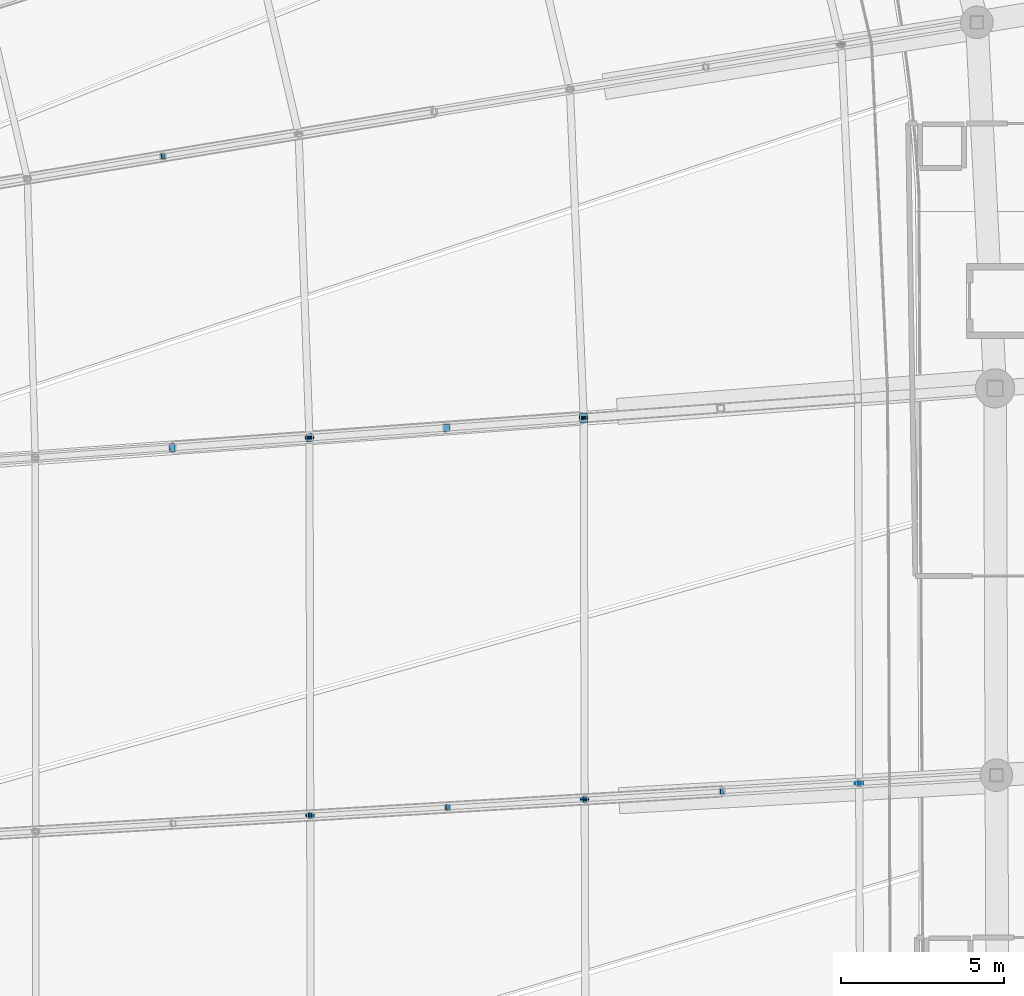
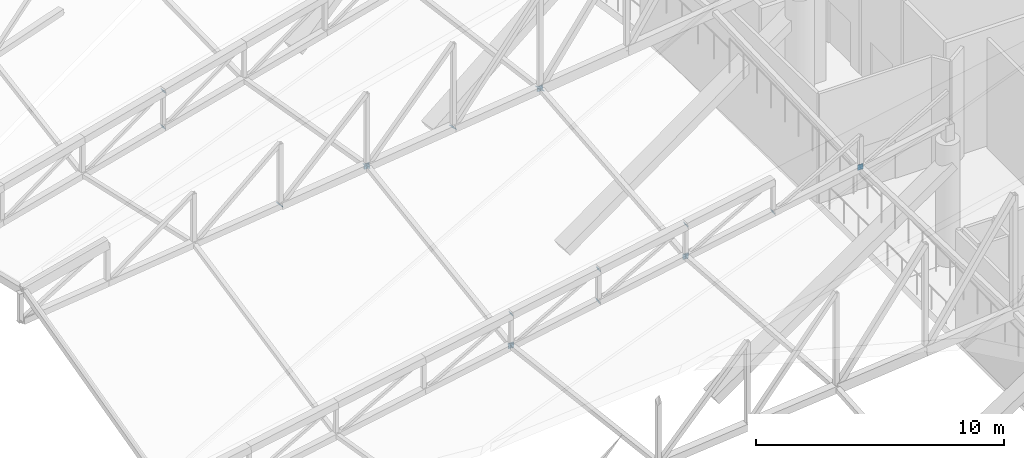
# One storey, part 329 of 344: 24 discrete accessories.
"""IFC4 building model written with IfcOpenShell, lengths in metres."""

from ifc_helpers import new_model, si_unit, direction, frame, origin, origin_2d, place, context, subcontext, project, spatial, rectangle, extrude, material, material_profile, profile_set, type_object, element, save


model = new_model("IFC4")

# Units and contexts
model_context = context("Model", 3, precision=1e-05, world=origin(), true_north=direction((0.0, 1.0)))
body_context = subcontext(model_context, "Body", "Model", "MODEL_VIEW")
ifc_project = project(units=[si_unit("LENGTHUNIT", "METRE"), si_unit("AREAUNIT", "SQUARE_METRE"), si_unit("VOLUMEUNIT", "CUBIC_METRE"), si_unit("PLANEANGLEUNIT", "RADIAN"), si_unit("MASSUNIT", "GRAM", prefix="KILO")], contexts=[model_context])

# Site, building, storey
site_placement = place(None, origin())
site = spatial("IfcSite", under=ifc_project, at=site_placement, CompositionType="ELEMENT")
building_placement = place(site_placement, origin())
building = spatial("IfcBuilding", under=site, at=building_placement, Name="Meseta Stadium", CompositionType="ELEMENT")
storey_placement = place(building_placement, frame((0.0, 0.0, 24.0)))
storey = spatial("IfcBuildingStorey", under=building, at=storey_placement, Name="L04", CompositionType="ELEMENT", Elevation=24.0)

# Discrete accessories
ifc_material_1 = material(Name="Steel S355", Category="steel")
ifc_material_profile_1 = material_profile(ifc_material_1, rectangle(XDim=0.179931640625, YDim=0.179931640625, at=origin_2d()), Name="PL 180x180")
ifc_profile_set_1 = profile_set([ifc_material_profile_1], Name="Steel S355")
discrete_accessory_type_1 = type_object("IfcDiscreteAccessoryType", Name="End plate 180x180x20", PredefinedType="ANCHORPLATE", material=ifc_profile_set_1)
discrete_accessory_1_placement = place(storey_placement, frame((63.8505859375, 29.44384765625, 5.490234375), z_axis=(0.893383670515, 0.048291009217, 0.446691835258), x_axis=(-0.053975258015, 0.998542273278, 0.0)))
element("IfcDiscreteAccessory", 1, at=discrete_accessory_1_placement, inside=storey, type_object=discrete_accessory_type_1, Name="End plate of ROOF TRUSS RT-07 diagonal", PredefinedType="ANCHORPLATE", context=body_context, shape_type="SweptSolid", body=[
    extrude(rectangle(XDim=0.179931640625, YDim=0.179931640625, at=origin_2d()), origin(), (0.0, 0.0, 1.0), 0.020263671875),
])
for number, where, z_axis, x_axis, name in (
    (2, (63.832763671875, 29.442626953125, 3.9267578125), (0.890310108805, 0.060980144439, 0.451253068847), (-0.068333052409, 0.997662565173, 0.0), "End plate of ROOF TRUSS RT-07 diagonal"),
    (3, (68.065673828125, 29.69140625, 6.063232421875), (0.890906631558, 0.048816801729, 0.451555415995), (-0.054712446702, 0.998502152314, 0.0), "End plate of ROOF TRUSS RT-07 diagonal"),
    (4, (68.0478515625, 29.6904296875, 4.49951171875), (0.890906631558, 0.048816801729, 0.451555415995), (-0.054712446702, 0.998502152314, 0.0), "End plate of ROOF TRUSS RT-07 diagonal"),
    (5, (72.280517578125, 29.93896484375, 6.635986328125), (0.890906631558, 0.048816801729, 0.451555415995), (-0.054712446702, 0.998502152314, 0.0), "End plate of ROOF TRUSS RT-07 diagonal"),
    (6, (72.2626953125, 29.93798828125, 5.072509765625), (0.890906631558, 0.048816801729, 0.451555415995), (-0.054712446702, 0.998502152314, 0.0), "End plate of ROOF TRUSS RT-07 diagonal"),
    (7, (76.4775390625, 30.185546875, 5.645263671875), (0.890906631558, 0.048816801729, 0.451555415995), (-0.054712446702, 0.998502152314, 0.0), "End plate of ROOF TRUSS RT-07 diagonal"),
):
    element("IfcDiscreteAccessory", number, at=place(storey_placement, frame(where, z_axis=z_axis, x_axis=x_axis)), inside=storey, type_object=discrete_accessory_type_1, Name=name, PredefinedType="ANCHORPLATE", context=body_context, shape_type="SweptSolid", body=[
        extrude(rectangle(XDim=0.179931640625, YDim=0.179931640625, at=origin_2d()), origin(), (0.0, 0.0, 1.0), 0.02001953125),
    ])
discrete_accessory_2_placement = place(storey_placement, frame((80.692626953125, 30.43310546875, 6.21826171875), z_axis=(0.895789814442, 0.049084373394, 0.441759360547), x_axis=(-0.054712446702, 0.998502152314, 0.0)))
element("IfcDiscreteAccessory", 8, at=discrete_accessory_2_placement, inside=storey, type_object=discrete_accessory_type_1, Name="End plate of ROOF TRUSS RT-07 diagonal", PredefinedType="ANCHORPLATE", context=body_context, shape_type="SweptSolid", body=[
    extrude(rectangle(XDim=0.179931640625, YDim=0.179931640625, at=origin_2d()), origin(), (0.0, 0.0, 1.0), 0.019775390625),
])
discrete_accessory_3_placement = place(storey_placement, frame((59.327880859375, 49.689453125, 5.780029296875), z_axis=(0.874931437699, 0.145821906283, 0.461769369896), x_axis=(-0.164398987305, 0.986393923832, 0.0)))
element("IfcDiscreteAccessory", 9, at=discrete_accessory_3_placement, inside=storey, type_object=discrete_accessory_type_1, Name="End plate of ROOF TRUSS RT-09 diagonal", PredefinedType="ANCHORPLATE", context=body_context, shape_type="SweptSolid", body=[
    extrude(rectangle(XDim=0.179931640625, YDim=0.179931640625, at=origin_2d()), origin(), (0.0, 0.0, 1.0), 0.02001953125),
])
discrete_accessory_4_placement = place(storey_placement, frame((59.310546875, 49.6865234375, 4.013916015625), z_axis=(0.872035849523, 0.147386340765, 0.466723412421), x_axis=(-0.166650593889, 0.986016013844, 0.0)))
element("IfcDiscreteAccessory", 10, at=discrete_accessory_4_placement, inside=storey, type_object=discrete_accessory_type_1, Name="End plate of ROOF TRUSS RT-09 diagonal", PredefinedType="ANCHORPLATE", context=body_context, shape_type="SweptSolid", body=[
    extrude(rectangle(XDim=0.179931640625, YDim=0.179931640625, at=origin_2d()), origin(), (0.0, 0.0, 1.0), 0.019775390625),
])
ifc_material_2 = material(Name="Steel S355", Category="steel")
ifc_material_profile_2 = material_profile(ifc_material_2, rectangle(XDim=0.239990234375, YDim=0.239990234375, at=origin_2d()), Name="PL 240x240")
ifc_profile_set_2 = profile_set([ifc_material_profile_2], Name="Steel S355")
discrete_accessory_type_2 = type_object("IfcDiscreteAccessoryType", Name="End plate 240x240x20", PredefinedType="ANCHORPLATE", material=ifc_profile_set_2)
for number, where, z_axis, x_axis, name in (
    (11, (59.6015625, 40.7421875, 5.4990234375), (0.735767207382, 0.061313933948, 0.674453273433), (-0.083045479854, 0.996545758245, 0.0), "End plate of ROOF TRUSS RT-08 diagonal"),
    (12, (63.813720703125, 41.04541015625, 5.750244140625), (0.69398756259, 0.048700881585, 0.718338003382), (-0.070003281481, 0.9975467611, 0.0), "End plate of ROOF TRUSS RT-08 diagonal"),
    (13, (68.02587890625, 41.348388671875, 6.00146484375), (0.643003146809, 0.048528539382, 0.764324495263), (-0.075257669471, 0.997164120487, 0.0), "End plate of ROOF TRUSS RT-08 diagonal"),
):
    element("IfcDiscreteAccessory", number, at=place(storey_placement, frame(where, z_axis=z_axis, x_axis=x_axis)), inside=storey, type_object=discrete_accessory_type_2, Name=name, PredefinedType="ANCHORPLATE", context=body_context, shape_type="SweptSolid", body=[
        extrude(rectangle(XDim=0.239990234375, YDim=0.239990234375, at=origin_2d()), origin(), (0.0, 0.0, 1.0), 0.02001953125),
    ])
ifc_material_3 = material(Name="Steel S355", Category="steel")
ifc_material_profile_3 = material_profile(ifc_material_3, rectangle(XDim=0.260009765625, YDim=0.260009765625, at=origin_2d()), Name="PL 260x260")
ifc_profile_set_3 = profile_set([ifc_material_profile_3], Name="Steel S355")
discrete_accessory_type_3 = type_object("IfcDiscreteAccessoryType", Name="End plate 260x260x20", PredefinedType="ANCHORPLATE", material=ifc_profile_set_3)
for number, where, z_axis, x_axis, name in (
    (14, (63.8505859375, 29.44384765625, 3.935791015625), (0.0, 0.992465233221, -0.122526572003), (-1.0, 0.0, 0.0), "End plate of ROOF TRUSS STRUT RT-06/07"),
    (15, (72.280517578125, 29.93896484375, 5.08154296875), (0.0, 0.997333723592, -0.072975638312), (-1.0, 0.0, 0.0), "End plate of ROOF TRUSS STRUT RT-06/07"),
    (16, (80.71044921875, 30.43408203125, 6.22705078125), (-0.012190590302, 0.999628404729, -0.024381180603), (-0.999925647793, -0.012194215217, 0.0), "End plate of ROOF TRUSS STRUT RT-06/07"),
    (17, (63.850830078125, 29.424072265625, 3.9326171875), (-0.012188779056, 0.987291103511, 0.158454127724), (-0.999923800815, -0.012344738282, 0.0), "End plate of ROOF TRUSS STRUT RT-07/08"),
    (18, (63.82763671875, 41.04638671875, 5.7646484375), (-0.012188779056, 0.987291103511, 0.158454127724), (-0.999923800815, -0.012344738282, 0.0), "End plate of ROOF TRUSS STRUT RT-07/08"),
    (19, (72.280517578125, 29.9189453125, 5.079345703125), (0.0, 0.994030677348, 0.109100928002), (-1.0, 0.0, 0.0), "End plate of ROOF TRUSS STRUT RT-07/08"),
    (20, (72.25, 41.65234375, 6.268798828125), (0.0, 0.994030677348, 0.109100928002), (-1.0, 0.0, 0.0), "End plate of ROOF TRUSS STRUT RT-07/08"),
    (21, (80.71044921875, 30.4140625, 6.226318359375), (0.0, 0.999331426586, 0.036560905851), (-1.0, 0.0, 0.0), "End plate of ROOF TRUSS STRUT RT-07/08"),
    (22, (63.828369140625, 41.026611328125, 5.767333984375), (-0.036675474366, 0.990237807881, -0.134476739342), (-0.999314833767, -0.03701166051, 0.0), "End plate of ROOF TRUSS STRUT RT-08/09"),
):
    element("IfcDiscreteAccessory", number, at=place(storey_placement, frame(where, z_axis=z_axis, x_axis=x_axis)), inside=storey, type_object=discrete_accessory_type_3, Name=name, PredefinedType="ANCHORPLATE", context=body_context, shape_type="SweptSolid", body=[
        extrude(rectangle(XDim=0.260009765625, YDim=0.260009765625, at=origin_2d()), origin(), (0.0, 0.0, 1.0), 0.02001953125),
    ])
discrete_accessory_5_placement = place(storey_placement, frame((72.2509765625, 41.632568359375, 6.2705078125), z_axis=(-0.049139900815, 0.995082991502, -0.085994826426), x_axis=(-0.99878289929, -0.049322612311, 0.0)))
element("IfcDiscreteAccessory", 23, at=discrete_accessory_5_placement, inside=storey, type_object=discrete_accessory_type_3, Name="End plate of ROOF TRUSS STRUT RT-08/09", PredefinedType="ANCHORPLATE", context=body_context, shape_type="SweptSolid", body=[
    extrude(rectangle(XDim=0.260009765625, YDim=0.260009765625, at=origin_2d()), origin(), (0.0, 0.0, 1.0), 0.019775390625),
])
ifc_material_4 = material(Name="Steel S355", Category="steel")
ifc_material_profile_4 = material_profile(ifc_material_4, rectangle(XDim=0.2900390625, YDim=0.2900390625, at=origin_2d()), Name="PL 290x290")
ifc_profile_set_4 = profile_set([ifc_material_profile_4], Name="Steel S355")
discrete_accessory_type_4 = type_object("IfcDiscreteAccessoryType", Name="End plate 290x290x20", PredefinedType="ANCHORPLATE", material=ifc_profile_set_4)
discrete_accessory_6_placement = place(storey_placement, frame((72.238037109375, 41.651611328125, 6.2529296875), z_axis=(0.601555381629, 0.036829921324, 0.797981628691), x_axis=(-0.06111006328, 0.998131033565, 0.0)))
element("IfcDiscreteAccessory", 24, at=discrete_accessory_6_placement, inside=storey, type_object=discrete_accessory_type_4, Name="End plate of ROOF TRUSS RT-08 diagonal", PredefinedType="ANCHORPLATE", context=body_context, shape_type="SweptSolid", body=[
    extrude(rectangle(XDim=0.2900390625, YDim=0.2900390625, at=origin_2d()), origin(), (0.0, 0.0, 1.0), 0.019775390625),
])

save(model, "model.ifc")
